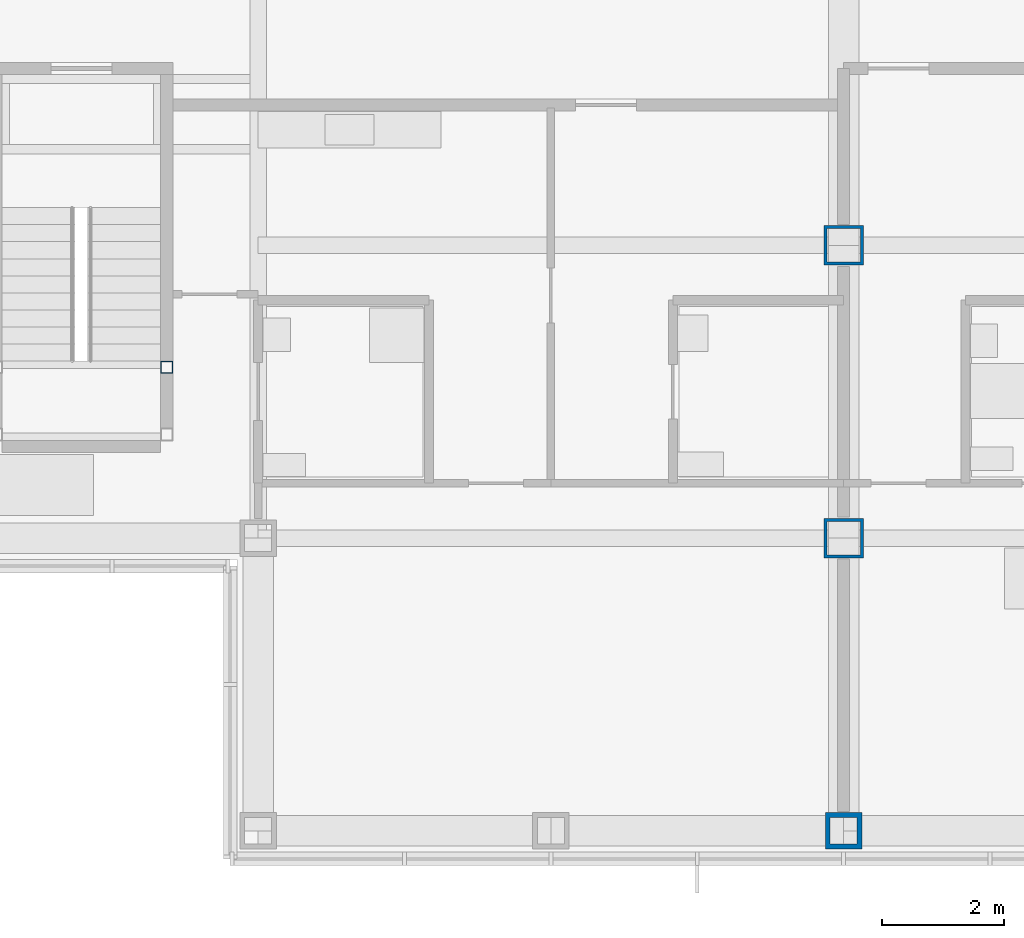
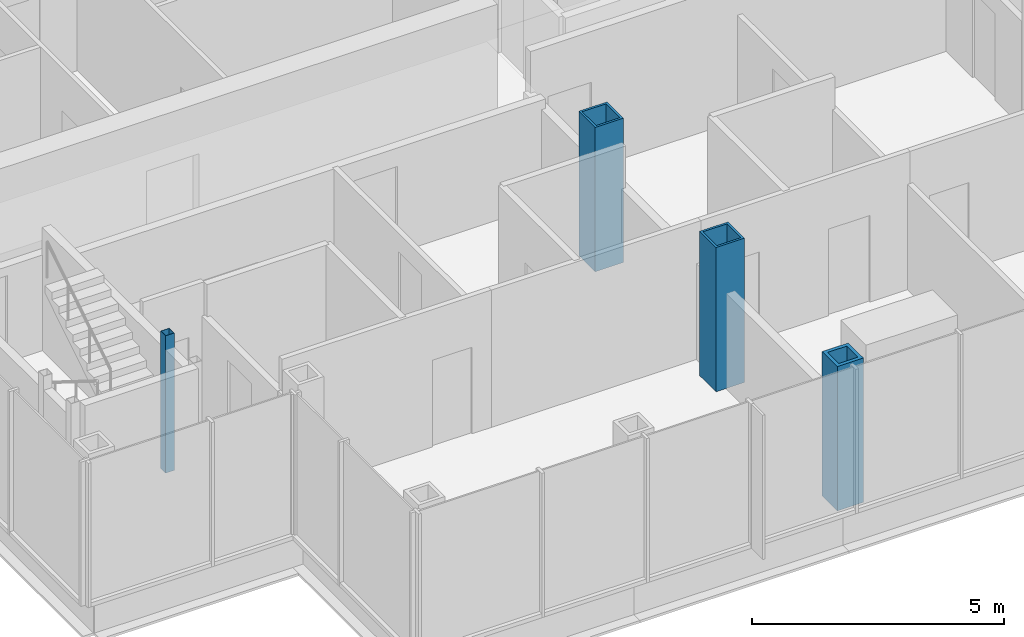
# One storey, part 2 of 20: 4 columns.
"""IFC4 building model written with IfcOpenShell, lengths in metres."""

from ifc_helpers import new_model, si_unit, direction, frame, origin, origin_2d, place, context, subcontext, project, spatial, hollow_rectangle, extrude, material, material_profile, profile_set, type_object, element, save


model = new_model("IFC4")

# Units and contexts
model_context = context("Model", 3, precision=1e-05, world=origin(), true_north=direction((0.0, 1.0)))
body_context = subcontext(model_context, "Body", "Model", "MODEL_VIEW")
ifc_project = project(units=[si_unit("LENGTHUNIT", "METRE"), si_unit("AREAUNIT", "SQUARE_METRE"), si_unit("VOLUMEUNIT", "CUBIC_METRE"), si_unit("PLANEANGLEUNIT", "RADIAN"), si_unit("MASSUNIT", "GRAM", prefix="KILO")], contexts=[model_context])

# Site, building, storey
site_placement = place(None, origin())
site = spatial("IfcSite", under=ifc_project, at=site_placement, CompositionType="ELEMENT")
building_placement = place(site_placement, origin())
building = spatial("IfcBuilding", under=site, at=building_placement, Name="Kvirike Care Tower", CompositionType="ELEMENT")
storey_placement = place(building_placement, frame((0.0, 0.0, 126.0)))
storey = spatial("IfcBuildingStorey", under=building, at=storey_placement, Name="L34", CompositionType="ELEMENT", Elevation=126.0)

# Columns
ifc_material_1 = material(Name="Steel S460", Category="steel")
ifc_material_profile_1 = material_profile(ifc_material_1, hollow_rectangle(XDim=0.60009765625, YDim=0.60009765625, WallThickness=0.080078125, at=origin_2d()), Name="BX 600x600x80")
ifc_profile_set_1 = profile_set([ifc_material_profile_1], Name="Steel S460")
column_type_1 = type_object("IfcColumnType", Name="COLUMN BX 600x600x80", PredefinedType="COLUMN", material=ifc_profile_set_1)
column_1_placement = place(storey_placement, frame((28.800048828125, 14.39990234375, 0.0), z_axis=(0.0, 0.0, 1.0), x_axis=(0.0, 1.0, 0.0)))
element("IfcColumn", 1, at=column_1_placement, inside=storey, type_object=column_type_1, Name="Column D9 L34", PredefinedType="COLUMN", context=body_context, shape_type="SweptSolid", body=[
    extrude(hollow_rectangle(XDim=0.60009765625, YDim=0.60009765625, WallThickness=0.080078125, at=origin_2d()), origin(), (0.0, 0.0, 1.0), 3.5),
])
ifc_material_2 = material(Name="Steel S460", Category="steel")
ifc_material_profile_2 = material_profile(ifc_material_2, hollow_rectangle(XDim=0.64990234375, YDim=0.64990234375, WallThickness=0.050048828125, at=origin_2d()), Name="BX 650x650x50")
ifc_profile_set_2 = profile_set([ifc_material_profile_2], Name="Steel S460")
column_type_2 = type_object("IfcColumnType", Name="COLUMN BX 650x650x50", PredefinedType="COLUMN", material=ifc_profile_set_2)
for number, where, z_axis, x_axis, name in (
    (2, (28.800048828125, 19.199951171875, 0.0), (0.0, 0.0, 1.0), (1.0, 0.0, 0.0), "Column E9 L34"),
    (3, (28.800048828125, 24.0, 0.0), (0.0, 0.0, 1.0), (1.0, 0.0, 0.0), "Column F9 L34"),
):
    element("IfcColumn", number, at=place(storey_placement, frame(where, z_axis=z_axis, x_axis=x_axis)), inside=storey, type_object=column_type_2, Name=name, PredefinedType="COLUMN", context=body_context, shape_type="SweptSolid", body=[
        extrude(hollow_rectangle(XDim=0.64990234375, YDim=0.64990234375, WallThickness=0.050048828125, at=origin_2d()), origin(), (0.0, 0.0, 1.0), 3.5),
    ])
ifc_material_3 = material(Name="Steel S460", Category="steel")
ifc_material_profile_3 = material_profile(ifc_material_3, hollow_rectangle(XDim=0.199951171875, YDim=0.199951171875, WallThickness=0.008056640625, at=origin_2d()), Name="SHS 200x200x8")
ifc_profile_set_3 = profile_set([ifc_material_profile_3], Name="Steel S460")
column_type_3 = type_object("IfcColumnType", Name="STAIR POST SHS 200x200x8", PredefinedType="COLUMN", material=ifc_profile_set_3)
column_2_placement = place(storey_placement, frame((17.699951171875, 22.0, 0.0), z_axis=(0.0, 0.0, 1.0), x_axis=(1.0, 0.0, 0.0)))
element("IfcColumn", 4, at=column_2_placement, inside=storey, type_object=column_type_3, Name="Stair 5 post 4 L34", PredefinedType="COLUMN", context=body_context, shape_type="SweptSolid", body=[
    extrude(hollow_rectangle(XDim=0.199951171875, YDim=0.199951171875, WallThickness=0.008056640625, at=origin_2d()), origin(), (0.0, 0.0, 1.0), 3.330078125),
])

save(model, "model.ifc")
